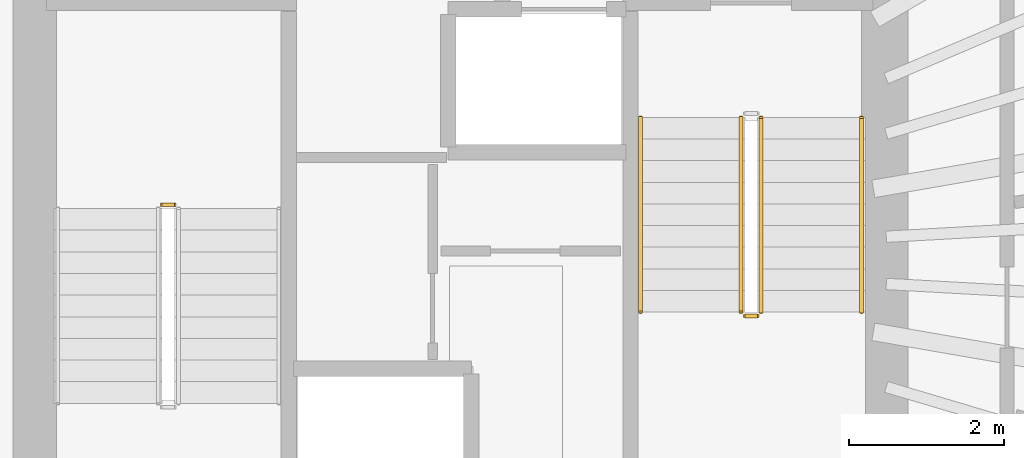
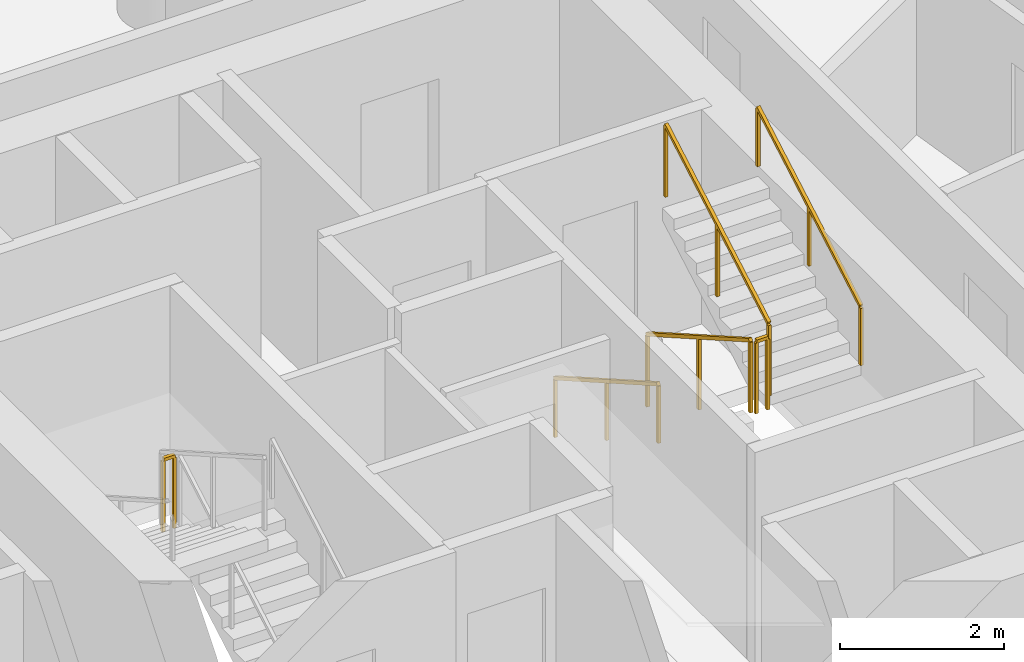
# One storey, part 11 of 13: 6 railings.
"""IFC4 building model written with IfcOpenShell, lengths in metres."""

from ifc_helpers import new_model, si_unit, direction, frame, origin, origin_2d, place, context, subcontext, project, spatial, rectangle, extrude, material, type_object, element, save


model = new_model("IFC4")

# Units and contexts
model_context = context("Model", 3, precision=1e-05, world=origin(), true_north=direction((0.0, 1.0)))
body_context = subcontext(model_context, "Body", "Model", "MODEL_VIEW")
ifc_project = project(units=[si_unit("LENGTHUNIT", "METRE"), si_unit("AREAUNIT", "SQUARE_METRE"), si_unit("VOLUMEUNIT", "CUBIC_METRE"), si_unit("PLANEANGLEUNIT", "RADIAN"), si_unit("MASSUNIT", "GRAM", prefix="KILO")], contexts=[model_context])

# Site, building, storey
site_placement = place(None, origin())
site = spatial("IfcSite", under=ifc_project, at=site_placement, CompositionType="ELEMENT")
building_placement = place(site_placement, origin())
building = spatial("IfcBuilding", under=site, at=building_placement, Name="Veldorim Arch Residences", CompositionType="ELEMENT")
storey_placement = place(building_placement, frame((0.0, 0.0, 155.360107421875)))
storey = spatial("IfcBuildingStorey", under=building, at=storey_placement, Name="L46", CompositionType="ELEMENT", Elevation=155.360107421875)

# Railings
ifc_material_1 = material(Name="Steel S355", Category="steel")
railing_type_1 = type_object("IfcRailingType", Name="Galvanised Steel Stair Safety Guardrail 1100", PredefinedType="GUARDRAIL", material=ifc_material_1)
railing_1_placement = place(storey_placement, frame((28.31005859375, 24.719970703125, 1.599853515625)))
element("IfcRailing", 1, at=railing_1_placement, inside=storey, type_object=railing_type_1, Name="L46 ST-1 stair guard 2", PredefinedType="GUARDRAIL", context=body_context, shape_type="SweptSolid", body=[
    extrude(rectangle(XDim=0.048095703125, YDim=0.048095703125, at=origin_2d()), frame((0.0, 0.0, 1.076171875), z_axis=(-1.0, 0.0, 0.0), x_axis=(0.0, -1.0, 0.0)), (0.0, 0.0, 1.0), 0.16015625),
    extrude(rectangle(XDim=0.0419921875, YDim=0.0419921875, at=origin_2d()), origin(), (0.0, 0.0, 1.0), 1.052001953125),
    extrude(rectangle(XDim=0.0419921875, YDim=0.0419921875, at=origin_2d()), frame((-0.16015625, 0.0, 0.0)), (0.0, 0.0, 1.0), 1.052001953125),
])
railing_2_placement = place(storey_placement, frame((35.639892578125, 25.85009765625, 0.159912109375)))
element("IfcRailing", 2, at=railing_2_placement, inside=storey, type_object=railing_type_1, Name="L46 ST-2 stair guard 1", PredefinedType="GUARDRAIL", context=body_context, shape_type="SweptSolid", body=[
    extrude(rectangle(XDim=0.048095703125, YDim=0.048095703125, at=origin_2d()), frame((0.0, 0.0, 1.076171875), z_axis=(0.0, -0.868253494771, 0.496120820787), x_axis=(1.0, 0.0, 0.0)), (0.0, 0.0, 1.0), 2.90234375),
    extrude(rectangle(XDim=0.0419921875, YDim=0.0419921875, at=origin_2d()), origin(), (0.0, 0.0, 1.0), 1.052001953125),
    extrude(rectangle(XDim=0.0419921875, YDim=0.0419921875, at=origin_2d()), frame((0.0, -1.260009765625, 0.719970703125)), (0.0, 0.0, 1.0), 1.052001953125),
    extrude(rectangle(XDim=0.0419921875, YDim=0.0419921875, at=origin_2d()), frame((0.0, -2.52001953125, 1.43994140625)), (0.0, 0.0, 1.0), 1.052001953125),
])
railing_3_placement = place(storey_placement, frame((35.68994140625, 23.280029296875, 1.599853515625)))
element("IfcRailing", 3, at=railing_3_placement, inside=storey, type_object=railing_type_1, Name="L46 ST-2 stair guard 2", PredefinedType="GUARDRAIL", context=body_context, shape_type="SweptSolid", body=[
    extrude(rectangle(XDim=0.048095703125, YDim=0.048095703125, at=origin_2d()), frame((0.0, 0.0, 1.076171875), z_axis=(1.0, 0.0, 0.0), x_axis=(0.0, 1.0, 0.0)), (0.0, 0.0, 1.0), 0.16015625),
    extrude(rectangle(XDim=0.0419921875, YDim=0.0419921875, at=origin_2d()), origin(), (0.0, 0.0, 1.0), 1.052001953125),
    extrude(rectangle(XDim=0.0419921875, YDim=0.0419921875, at=origin_2d()), frame((0.16015625, 0.0, 0.0)), (0.0, 0.0, 1.0), 1.052001953125),
])
railing_4_placement = place(storey_placement, frame((35.89990234375, 23.330078125, 1.760009765625)))
element("IfcRailing", 4, at=railing_4_placement, inside=storey, type_object=railing_type_1, Name="L46 ST-2 stair guard 3", PredefinedType="GUARDRAIL", context=body_context, shape_type="SweptSolid", body=[
    extrude(rectangle(XDim=0.048095703125, YDim=0.048095703125, at=origin_2d()), frame((0.0, 0.0, 1.076171875), z_axis=(0.0, 0.868253494771, 0.496120820787), x_axis=(-1.0, 0.0, 0.0)), (0.0, 0.0, 1.0), 2.90234375),
    extrude(rectangle(XDim=0.0419921875, YDim=0.0419921875, at=origin_2d()), origin(), (0.0, 0.0, 1.0), 1.052001953125),
    extrude(rectangle(XDim=0.0419921875, YDim=0.0419921875, at=origin_2d()), frame((0.0, 1.260009765625, 0.719970703125)), (0.0, 0.0, 1.0), 1.052001953125),
    extrude(rectangle(XDim=0.0419921875, YDim=0.0419921875, at=origin_2d()), frame((0.0, 2.52001953125, 1.43994140625)), (0.0, 0.0, 1.0), 1.052001953125),
])
ifc_material_2 = material(Name="Stainless Steel", Category="steel")
railing_type_2 = type_object("IfcRailingType", Name="Tubular Steel Continuous Wall Handrail 900", PredefinedType="HANDRAIL", material=ifc_material_2)
railing_5_placement = place(storey_placement, frame((34.340087890625, 25.85009765625, 0.159912109375)))
element("IfcRailing", 5, at=railing_5_placement, inside=storey, type_object=railing_type_2, Name="L46 ST-2 stair handrail 1", PredefinedType="HANDRAIL", context=body_context, shape_type="SweptSolid", body=[
    extrude(rectangle(XDim=0.048095703125, YDim=0.048095703125, at=origin_2d()), frame((0.0, 0.0, 0.8759765625), z_axis=(0.0, -0.868253494771, 0.496120820787), x_axis=(1.0, 0.0, 0.0)), (0.0, 0.0, 1.0), 2.90234375),
    extrude(rectangle(XDim=0.0419921875, YDim=0.0419921875, at=origin_2d()), origin(), (0.0, 0.0, 1.0), 0.851806640625),
    extrude(rectangle(XDim=0.0419921875, YDim=0.0419921875, at=origin_2d()), frame((0.0, -1.260009765625, 0.719970703125)), (0.0, 0.0, 1.0), 0.851806640625),
    extrude(rectangle(XDim=0.0419921875, YDim=0.0419921875, at=origin_2d()), frame((0.0, -2.52001953125, 1.43994140625)), (0.0, 0.0, 1.0), 0.851806640625),
])
railing_6_placement = place(storey_placement, frame((37.199951171875, 23.330078125, 1.760009765625)))
element("IfcRailing", 6, at=railing_6_placement, inside=storey, type_object=railing_type_2, Name="L46 ST-2 stair handrail 2", PredefinedType="HANDRAIL", context=body_context, shape_type="SweptSolid", body=[
    extrude(rectangle(XDim=0.048095703125, YDim=0.048095703125, at=origin_2d()), frame((0.0, 0.0, 0.8759765625), z_axis=(0.0, 0.868253494771, 0.496120820787), x_axis=(-1.0, 0.0, 0.0)), (0.0, 0.0, 1.0), 2.90234375),
    extrude(rectangle(XDim=0.0419921875, YDim=0.0419921875, at=origin_2d()), origin(), (0.0, 0.0, 1.0), 0.851806640625),
    extrude(rectangle(XDim=0.0419921875, YDim=0.0419921875, at=origin_2d()), frame((0.0, 1.260009765625, 0.719970703125)), (0.0, 0.0, 1.0), 0.851806640625),
    extrude(rectangle(XDim=0.0419921875, YDim=0.0419921875, at=origin_2d()), frame((0.0, 2.52001953125, 1.43994140625)), (0.0, 0.0, 1.0), 0.851806640625),
])

save(model, "model.ifc")
